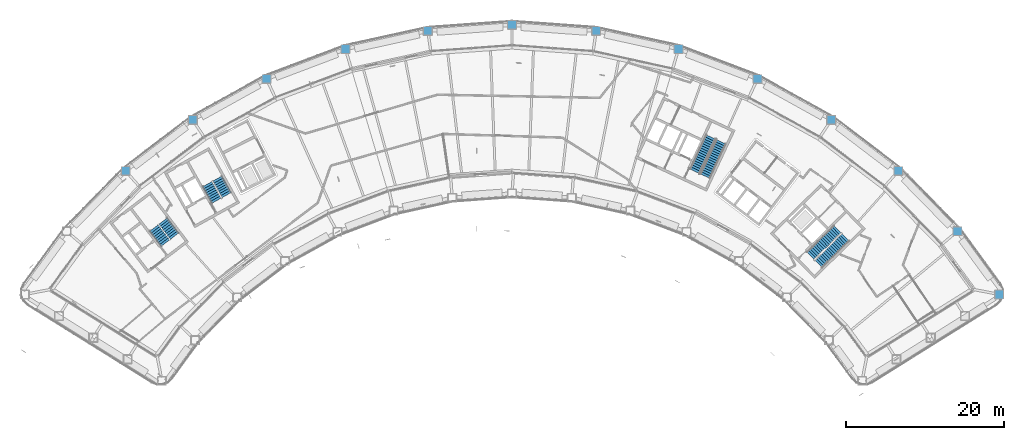
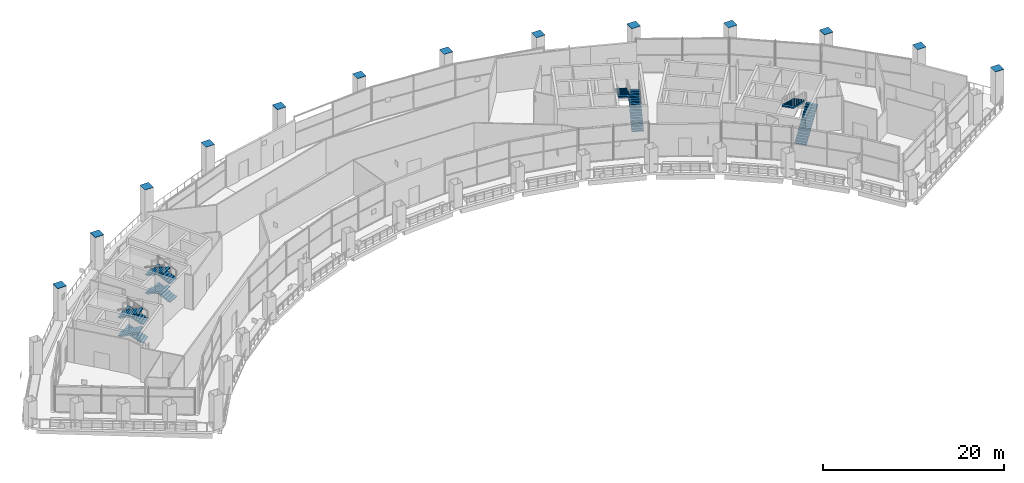
# One storey, part 20 of 28: 13 discrete accessories, 12 stair flights, 4 elements without a shape of their own.
"""IFC4 building model written with IfcOpenShell, lengths in metres."""

from ifc_helpers import new_model, si_unit, direction, frame, origin, origin_2d, place, context, subcontext, project, spatial, polyline, rectangle, outline, extrude, material, type_object, element, aggregate, save


model = new_model("IFC4")

# Units and contexts
model_context = context("Model", 3, precision=1e-05, world=origin(), true_north=direction((0.0, 1.0)))
body_context = subcontext(model_context, "Body", "Model", "MODEL_VIEW")
ifc_project = project(units=[si_unit("LENGTHUNIT", "METRE"), si_unit("AREAUNIT", "SQUARE_METRE"), si_unit("VOLUMEUNIT", "CUBIC_METRE"), si_unit("PLANEANGLEUNIT", "RADIAN"), si_unit("MASSUNIT", "GRAM", prefix="KILO")], contexts=[model_context])

# Site, building, storey
site_placement = place(None, origin())
site = spatial("IfcSite", under=ifc_project, at=site_placement, CompositionType="ELEMENT")
building_placement = place(site_placement, origin())
building = spatial("IfcBuilding", under=site, at=building_placement, Name="Tuul Gate Civic Tower", CompositionType="ELEMENT")
storey_placement = place(building_placement, frame((0.0, 0.0, 128.699951171875)))
storey = spatial("IfcBuildingStorey", under=building, at=storey_placement, Name="Sky garden level 1", CompositionType="ELEMENT", Elevation=128.699951171875)

# Stair, stair flights
ifc_material_1 = material(Name="Concrete C40/50", Category="concrete")
stair_type = type_object("IfcStairType", Name="Exit stair", PredefinedType="HALF_TURN_STAIR", material=ifc_material_1)
stair_1_placement = place(storey_placement, origin())
stair_1 = element("IfcStair", 1, at=stair_1_placement, inside=storey, type_object=stair_type, Name="Sky garden level 1 ST-1", PredefinedType="HALF_TURN_STAIR")
ifc_material_2 = material(Name="Concrete C40/50", Category="concrete")
stair_flight_type = type_object("IfcStairFlightType", Name="Exit stair flight", PredefinedType="STRAIGHT", material=ifc_material_2)
stair_flight_1_placement = place(storey_placement, frame((-32.875244140625, -13.066650390625, 0.0), z_axis=(0.0, 0.0, 1.0), x_axis=(-0.605764474941, 0.795644016442, 0.0)))
stair_flight_1 = element("IfcStairFlight", 2, at=stair_flight_1_placement, type_object=stair_flight_type, Name="ST-1 flight 1", NumberOfRisers=9, NumberOfTreads=8, PredefinedType="STRAIGHT", RiserHeight=0.138888889, TreadLength=0.3, context=body_context, shape_type="SweptSolid", body=[
    extrude(outline(polyline([(0.0, 0.0), (0.0, 0.138916015625), (0.300048828125, 0.138916015625), (0.300048828125, 0.27783203125), (0.60009765625, 0.27783203125), (0.60009765625, 0.416748046875), (0.89990234375, 0.416748046875), (0.89990234375, 0.5556640625), (1.199951171875, 0.5556640625), (1.199951171875, 0.6943359375), (1.5, 0.6943359375), (1.5, 0.833251953125), (1.800048828125, 0.833251953125), (1.800048828125, 0.97216796875), (2.10009765625, 0.97216796875), (2.10009765625, 1.111083984375), (2.39990234375, 1.111083984375), (2.39990234375, 1.25), (2.39990234375, 0.946044921875), (0.356689453125, 0.0), (0.0, 0.0)])), frame((0.0, 0.675048828125, 0.0), z_axis=(0.0, -1.0, 0.0), x_axis=(1.0, 0.0, 0.0)), (0.0, 0.0, 1.0), 1.35009765625),
])
stair_flight_2_placement = place(storey_placement, frame((-35.482666015625, -12.03564453125, 1.25), z_axis=(0.0, 0.0, 1.0), x_axis=(0.605764474941, -0.795644016442, 0.0)))
stair_flight_2 = element("IfcStairFlight", 3, at=stair_flight_2_placement, type_object=stair_flight_type, Name="ST-1 flight 2", NumberOfRisers=9, NumberOfTreads=8, PredefinedType="STRAIGHT", RiserHeight=0.138888889, TreadLength=0.3, context=body_context, shape_type="SweptSolid", body=[
    extrude(outline(polyline([(0.0, 0.0), (0.0, 0.138916015625), (0.300048828125, 0.138916015625), (0.300048828125, 0.27783203125), (0.60009765625, 0.27783203125), (0.60009765625, 0.416748046875), (0.89990234375, 0.416748046875), (0.89990234375, 0.5556640625), (1.199951171875, 0.5556640625), (1.199951171875, 0.6943359375), (1.5, 0.6943359375), (1.5, 0.833251953125), (1.800048828125, 0.833251953125), (1.800048828125, 0.97216796875), (2.10009765625, 0.97216796875), (2.10009765625, 1.111083984375), (2.39990234375, 1.111083984375), (2.39990234375, 1.25), (2.39990234375, 0.946044921875), (0.356689453125, 0.0), (0.0, 0.0)])), frame((0.0, 0.675048828125, 0.0), z_axis=(0.0, -1.0, 0.0), x_axis=(1.0, 0.0, 0.0)), (0.0, 0.0, 1.0), 1.35009765625),
])
stair_flight_3_placement = place(storey_placement, frame((-32.875244140625, -13.066650390625, 2.5), z_axis=(0.0, 0.0, 1.0), x_axis=(-0.605764474941, 0.795644016442, 0.0)))
stair_flight_3 = element("IfcStairFlight", 4, at=stair_flight_3_placement, type_object=stair_flight_type, Name="ST-1 flight 3", NumberOfRisers=9, NumberOfTreads=8, PredefinedType="STRAIGHT", RiserHeight=0.138888889, TreadLength=0.3, context=body_context, shape_type="SweptSolid", body=[
    extrude(outline(polyline([(0.0, 0.0), (0.0, 0.138916015625), (0.300048828125, 0.138916015625), (0.300048828125, 0.27783203125), (0.60009765625, 0.27783203125), (0.60009765625, 0.416748046875), (0.89990234375, 0.416748046875), (0.89990234375, 0.5556640625), (1.199951171875, 0.5556640625), (1.199951171875, 0.6943359375), (1.5, 0.6943359375), (1.5, 0.833251953125), (1.800048828125, 0.833251953125), (1.800048828125, 0.97216796875), (2.10009765625, 0.97216796875), (2.10009765625, 1.111083984375), (2.39990234375, 1.111083984375), (2.39990234375, 1.25), (2.39990234375, 0.946044921875), (0.356689453125, 0.0), (0.0, 0.0)])), frame((0.0, 0.675048828125, 0.0), z_axis=(0.0, -1.0, 0.0), x_axis=(1.0, 0.0, 0.0)), (0.0, 0.0, 1.0), 1.35009765625),
])
stair_flight_4_placement = place(storey_placement, frame((-35.482666015625, -12.03564453125, 3.75), z_axis=(0.0, 0.0, 1.0), x_axis=(0.605764474941, -0.795644016442, 0.0)))
stair_flight_4 = element("IfcStairFlight", 5, at=stair_flight_4_placement, type_object=stair_flight_type, Name="ST-1 flight 4", NumberOfRisers=9, NumberOfTreads=8, PredefinedType="STRAIGHT", RiserHeight=0.138888889, TreadLength=0.3, context=body_context, shape_type="SweptSolid", body=[
    extrude(outline(polyline([(0.0, 0.0), (0.0, 0.138916015625), (0.300048828125, 0.138916015625), (0.300048828125, 0.27783203125), (0.60009765625, 0.27783203125), (0.60009765625, 0.416748046875), (0.89990234375, 0.416748046875), (0.89990234375, 0.5556640625), (1.199951171875, 0.5556640625), (1.199951171875, 0.6943359375), (1.5, 0.6943359375), (1.5, 0.833251953125), (1.800048828125, 0.833251953125), (1.800048828125, 0.97216796875), (2.10009765625, 0.97216796875), (2.10009765625, 1.111083984375), (2.39990234375, 1.111083984375), (2.39990234375, 1.25), (2.39990234375, 0.946044921875), (0.356689453125, 0.0), (0.0, 0.0)])), frame((0.0, 0.675048828125, 0.0), z_axis=(0.0, -1.0, 0.0), x_axis=(1.0, 0.0, 0.0)), (0.0, 0.0, 1.0), 1.35009765625),
])
aggregate(stair_1, [stair_flight_1, stair_flight_2, stair_flight_3, stair_flight_4])

stair_2_placement = place(storey_placement, origin())
stair_2 = element("IfcStair", 6, at=stair_2_placement, inside=storey, type_object=stair_type, Name="Sky garden level 1 ST-2", PredefinedType="HALF_TURN_STAIR")
stair_flight_5_placement = place(storey_placement, frame((-26.29150390625, -7.87646484375, 0.0), z_axis=(0.0, 0.0, 1.0), x_axis=(-0.484761763766, 0.874646232708, 0.0)))
stair_flight_5 = element("IfcStairFlight", 7, at=stair_flight_5_placement, type_object=stair_flight_type, Name="ST-2 flight 1", NumberOfRisers=9, NumberOfTreads=8, PredefinedType="STRAIGHT", RiserHeight=0.138888889, TreadLength=0.3, context=body_context, shape_type="SweptSolid", body=[
    extrude(outline(polyline([(0.0, 0.0), (0.0, 0.138916015625), (0.300048828125, 0.138916015625), (0.300048828125, 0.27783203125), (0.60009765625, 0.27783203125), (0.60009765625, 0.416748046875), (0.89990234375, 0.416748046875), (0.89990234375, 0.5556640625), (1.199951171875, 0.5556640625), (1.199951171875, 0.6943359375), (1.5, 0.6943359375), (1.5, 0.833251953125), (1.800048828125, 0.833251953125), (1.800048828125, 0.97216796875), (2.10009765625, 0.97216796875), (2.10009765625, 1.111083984375), (2.39990234375, 1.111083984375), (2.39990234375, 1.25), (2.39990234375, 0.946044921875), (0.356689453125, 0.0), (0.0, 0.0)])), frame((0.0, 0.675048828125, 0.0), z_axis=(0.0, -1.0, 0.0), x_axis=(1.0, 0.0, 0.0)), (0.0, 0.0, 1.0), 1.35009765625),
])
stair_flight_6_placement = place(storey_placement, frame((-28.723388671875, -6.480224609375, 1.25), z_axis=(0.0, 0.0, 1.0), x_axis=(0.484761763766, -0.874646232708, 0.0)))
stair_flight_6 = element("IfcStairFlight", 8, at=stair_flight_6_placement, type_object=stair_flight_type, Name="ST-2 flight 2", NumberOfRisers=9, NumberOfTreads=8, PredefinedType="STRAIGHT", RiserHeight=0.138888889, TreadLength=0.3, context=body_context, shape_type="SweptSolid", body=[
    extrude(outline(polyline([(0.0, 0.0), (0.0, 0.138916015625), (0.300048828125, 0.138916015625), (0.300048828125, 0.27783203125), (0.60009765625, 0.27783203125), (0.60009765625, 0.416748046875), (0.89990234375, 0.416748046875), (0.89990234375, 0.5556640625), (1.199951171875, 0.5556640625), (1.199951171875, 0.6943359375), (1.5, 0.6943359375), (1.5, 0.833251953125), (1.800048828125, 0.833251953125), (1.800048828125, 0.97216796875), (2.10009765625, 0.97216796875), (2.10009765625, 1.111083984375), (2.39990234375, 1.111083984375), (2.39990234375, 1.25), (2.39990234375, 0.946044921875), (0.356689453125, 0.0), (0.0, 0.0)])), frame((0.0, 0.675048828125, 0.0), z_axis=(0.0, -1.0, 0.0), x_axis=(1.0, 0.0, 0.0)), (0.0, 0.0, 1.0), 1.35009765625),
])
stair_flight_7_placement = place(storey_placement, frame((-26.29150390625, -7.87646484375, 2.5), z_axis=(0.0, 0.0, 1.0), x_axis=(-0.484761763766, 0.874646232708, 0.0)))
stair_flight_7 = element("IfcStairFlight", 9, at=stair_flight_7_placement, type_object=stair_flight_type, Name="ST-2 flight 3", NumberOfRisers=9, NumberOfTreads=8, PredefinedType="STRAIGHT", RiserHeight=0.138888889, TreadLength=0.3, context=body_context, shape_type="SweptSolid", body=[
    extrude(outline(polyline([(0.0, 0.0), (0.0, 0.138916015625), (0.300048828125, 0.138916015625), (0.300048828125, 0.27783203125), (0.60009765625, 0.27783203125), (0.60009765625, 0.416748046875), (0.89990234375, 0.416748046875), (0.89990234375, 0.5556640625), (1.199951171875, 0.5556640625), (1.199951171875, 0.6943359375), (1.5, 0.6943359375), (1.5, 0.833251953125), (1.800048828125, 0.833251953125), (1.800048828125, 0.97216796875), (2.10009765625, 0.97216796875), (2.10009765625, 1.111083984375), (2.39990234375, 1.111083984375), (2.39990234375, 1.25), (2.39990234375, 0.946044921875), (0.356689453125, 0.0), (0.0, 0.0)])), frame((0.0, 0.675048828125, 0.0), z_axis=(0.0, -1.0, 0.0), x_axis=(1.0, 0.0, 0.0)), (0.0, 0.0, 1.0), 1.35009765625),
])
stair_flight_8_placement = place(storey_placement, frame((-28.723388671875, -6.480224609375, 3.75), z_axis=(0.0, 0.0, 1.0), x_axis=(0.484761763766, -0.874646232708, 0.0)))
stair_flight_8 = element("IfcStairFlight", 10, at=stair_flight_8_placement, type_object=stair_flight_type, Name="ST-2 flight 4", NumberOfRisers=9, NumberOfTreads=8, PredefinedType="STRAIGHT", RiserHeight=0.138888889, TreadLength=0.3, context=body_context, shape_type="SweptSolid", body=[
    extrude(outline(polyline([(0.0, 0.0), (0.0, 0.138916015625), (0.300048828125, 0.138916015625), (0.300048828125, 0.27783203125), (0.60009765625, 0.27783203125), (0.60009765625, 0.416748046875), (0.89990234375, 0.416748046875), (0.89990234375, 0.5556640625), (1.199951171875, 0.5556640625), (1.199951171875, 0.6943359375), (1.5, 0.6943359375), (1.5, 0.833251953125), (1.800048828125, 0.833251953125), (1.800048828125, 0.97216796875), (2.10009765625, 0.97216796875), (2.10009765625, 1.111083984375), (2.39990234375, 1.111083984375), (2.39990234375, 1.25), (2.39990234375, 0.946044921875), (0.356689453125, 0.0), (0.0, 0.0)])), frame((0.0, 0.675048828125, 0.0), z_axis=(0.0, -1.0, 0.0), x_axis=(1.0, 0.0, 0.0)), (0.0, 0.0, 1.0), 1.35009765625),
])
aggregate(stair_2, [stair_flight_5, stair_flight_6, stair_flight_7, stair_flight_8])

stair_3_placement = place(storey_placement, origin())
stair_3 = element("IfcStair", 11, at=stair_3_placement, inside=storey, type_object=stair_type, Name="Sky garden level 1 ST-3", PredefinedType="HALF_TURN_STAIR")
stair_flight_9_placement = place(storey_placement, frame((48.61376953125, -16.581787109375, 0.0), z_axis=(0.0, 0.0, 1.0), x_axis=(0.714127290059, 0.700015866672, 0.0)))
stair_flight_9 = element("IfcStairFlight", 12, at=stair_flight_9_placement, type_object=stair_flight_type, Name="ST-3 flight 1", NumberOfRisers=17, NumberOfTreads=16, PredefinedType="STRAIGHT", RiserHeight=0.147058824, TreadLength=0.3, context=body_context, shape_type="SweptSolid", body=[
    extrude(outline(polyline([(0.0, 0.0), (0.0, 0.14697265625), (0.300048828125, 0.14697265625), (0.300048828125, 0.294189453125), (0.60009765625, 0.294189453125), (0.60009765625, 0.441162109375), (0.89990234375, 0.441162109375), (0.89990234375, 0.588134765625), (1.199951171875, 0.588134765625), (1.199951171875, 0.7353515625), (1.5, 0.7353515625), (1.5, 0.88232421875), (1.800048828125, 0.88232421875), (1.800048828125, 1.029296875), (2.10009765625, 1.029296875), (2.10009765625, 1.176513671875), (2.39990234375, 1.176513671875), (2.39990234375, 1.323486328125), (2.699951171875, 1.323486328125), (2.699951171875, 1.470703125), (3.0, 1.470703125), (3.0, 1.61767578125), (3.300048828125, 1.61767578125), (3.300048828125, 1.7646484375), (3.60009765625, 1.7646484375), (3.60009765625, 1.911865234375), (3.89990234375, 1.911865234375), (3.89990234375, 2.058837890625), (4.199951171875, 2.058837890625), (4.199951171875, 2.205810546875), (4.5, 2.205810546875), (4.5, 2.35302734375), (4.800048828125, 2.35302734375), (4.800048828125, 2.5), (4.800048828125, 2.18603515625), (0.340576171875, 0.0), (0.0, 0.0)])), frame((0.0, 0.675048828125, 0.0), z_axis=(0.0, -1.0, 0.0), x_axis=(1.0, 0.0, 0.0)), (0.0, 0.0, 1.0), 1.35009765625),
])
stair_flight_10_placement = place(storey_placement, frame((51.026611328125, -12.186279296875, 2.5), z_axis=(0.0, 0.0, 1.0), x_axis=(-0.714127290059, -0.700015866672, 0.0)))
stair_flight_10 = element("IfcStairFlight", 13, at=stair_flight_10_placement, type_object=stair_flight_type, Name="ST-3 flight 2", NumberOfRisers=17, NumberOfTreads=16, PredefinedType="STRAIGHT", RiserHeight=0.147058824, TreadLength=0.3, context=body_context, shape_type="SweptSolid", body=[
    extrude(outline(polyline([(0.0, 0.0), (0.0, 0.14697265625), (0.300048828125, 0.14697265625), (0.300048828125, 0.294189453125), (0.60009765625, 0.294189453125), (0.60009765625, 0.441162109375), (0.89990234375, 0.441162109375), (0.89990234375, 0.588134765625), (1.199951171875, 0.588134765625), (1.199951171875, 0.7353515625), (1.5, 0.7353515625), (1.5, 0.88232421875), (1.800048828125, 0.88232421875), (1.800048828125, 1.029296875), (2.10009765625, 1.029296875), (2.10009765625, 1.176513671875), (2.39990234375, 1.176513671875), (2.39990234375, 1.323486328125), (2.699951171875, 1.323486328125), (2.699951171875, 1.470703125), (3.0, 1.470703125), (3.0, 1.61767578125), (3.300048828125, 1.61767578125), (3.300048828125, 1.7646484375), (3.60009765625, 1.7646484375), (3.60009765625, 1.911865234375), (3.89990234375, 1.911865234375), (3.89990234375, 2.058837890625), (4.199951171875, 2.058837890625), (4.199951171875, 2.205810546875), (4.5, 2.205810546875), (4.5, 2.35302734375), (4.800048828125, 2.35302734375), (4.800048828125, 2.5), (4.800048828125, 2.18603515625), (0.340576171875, 0.0), (0.0, 0.0)])), frame((0.0, 0.675048828125, 0.0), z_axis=(0.0, -1.0, 0.0), x_axis=(1.0, 0.0, 0.0)), (0.0, 0.0, 1.0), 1.35009765625),
])
aggregate(stair_3, [stair_flight_9, stair_flight_10])

stair_4_placement = place(storey_placement, origin())
stair_4 = element("IfcStair", 14, at=stair_4_placement, inside=storey, type_object=stair_type, Name="Sky garden level 1 ST-4", PredefinedType="HALF_TURN_STAIR")
stair_flight_11_placement = place(storey_placement, frame((34.278564453125, -5.478515625, 0.0), z_axis=(0.0, 0.0, 1.0), x_axis=(0.422576295988, 0.906327354806, 0.0)))
stair_flight_11 = element("IfcStairFlight", 15, at=stair_flight_11_placement, type_object=stair_flight_type, Name="ST-4 flight 1", NumberOfRisers=17, NumberOfTreads=16, PredefinedType="STRAIGHT", RiserHeight=0.147058824, TreadLength=0.3, context=body_context, shape_type="SweptSolid", body=[
    extrude(outline(polyline([(0.0, 0.0), (0.0, 0.14697265625), (0.300048828125, 0.14697265625), (0.300048828125, 0.294189453125), (0.60009765625, 0.294189453125), (0.60009765625, 0.441162109375), (0.89990234375, 0.441162109375), (0.89990234375, 0.588134765625), (1.199951171875, 0.588134765625), (1.199951171875, 0.7353515625), (1.5, 0.7353515625), (1.5, 0.88232421875), (1.800048828125, 0.88232421875), (1.800048828125, 1.029296875), (2.10009765625, 1.029296875), (2.10009765625, 1.176513671875), (2.39990234375, 1.176513671875), (2.39990234375, 1.323486328125), (2.699951171875, 1.323486328125), (2.699951171875, 1.470703125), (3.0, 1.470703125), (3.0, 1.61767578125), (3.300048828125, 1.61767578125), (3.300048828125, 1.7646484375), (3.60009765625, 1.7646484375), (3.60009765625, 1.911865234375), (3.89990234375, 1.911865234375), (3.89990234375, 2.058837890625), (4.199951171875, 2.058837890625), (4.199951171875, 2.205810546875), (4.5, 2.205810546875), (4.5, 2.35302734375), (4.800048828125, 2.35302734375), (4.800048828125, 2.5), (4.800048828125, 2.18603515625), (0.340576171875, 0.0), (0.0, 0.0)])), frame((0.0, 0.675048828125, 0.0), z_axis=(0.0, -1.0, 0.0), x_axis=(1.0, 0.0, 0.0)), (0.0, 0.0, 1.0), 1.35009765625),
])
stair_flight_12_placement = place(storey_placement, frame((34.992919921875, -0.515380859375, 2.5), z_axis=(0.0, 0.0, 1.0), x_axis=(-0.422576295988, -0.906327354806, 0.0)))
stair_flight_12 = element("IfcStairFlight", 16, at=stair_flight_12_placement, type_object=stair_flight_type, Name="ST-4 flight 2", NumberOfRisers=17, NumberOfTreads=16, PredefinedType="STRAIGHT", RiserHeight=0.147058824, TreadLength=0.3, context=body_context, shape_type="SweptSolid", body=[
    extrude(outline(polyline([(0.0, 0.0), (0.0, 0.14697265625), (0.300048828125, 0.14697265625), (0.300048828125, 0.294189453125), (0.60009765625, 0.294189453125), (0.60009765625, 0.441162109375), (0.89990234375, 0.441162109375), (0.89990234375, 0.588134765625), (1.199951171875, 0.588134765625), (1.199951171875, 0.7353515625), (1.5, 0.7353515625), (1.5, 0.88232421875), (1.800048828125, 0.88232421875), (1.800048828125, 1.029296875), (2.10009765625, 1.029296875), (2.10009765625, 1.176513671875), (2.39990234375, 1.176513671875), (2.39990234375, 1.323486328125), (2.699951171875, 1.323486328125), (2.699951171875, 1.470703125), (3.0, 1.470703125), (3.0, 1.61767578125), (3.300048828125, 1.61767578125), (3.300048828125, 1.7646484375), (3.60009765625, 1.7646484375), (3.60009765625, 1.911865234375), (3.89990234375, 1.911865234375), (3.89990234375, 2.058837890625), (4.199951171875, 2.058837890625), (4.199951171875, 2.205810546875), (4.5, 2.205810546875), (4.5, 2.35302734375), (4.800048828125, 2.35302734375), (4.800048828125, 2.5), (4.800048828125, 2.18603515625), (0.340576171875, 0.0), (0.0, 0.0)])), frame((0.0, 0.675048828125, 0.0), z_axis=(0.0, -1.0, 0.0), x_axis=(1.0, 0.0, 0.0)), (0.0, 0.0, 1.0), 1.35009765625),
])
aggregate(stair_4, [stair_flight_11, stair_flight_12])

# Discrete accessories
ifc_material_3 = material(Name="Steel S355", Category="steel")
discrete_accessory_type = type_object("IfcDiscreteAccessoryType", Name="End cap plate", PredefinedType="BRACKET", material=ifc_material_3)
for number, where, z_axis, x_axis, name in (
    (17, (71.5, -20.44189453125, 4.60009765625), (0.0, 0.0, 1.0), (1.0, 0.0, 0.0), "End cap plate"),
    (18, (66.200927734375, -12.428955078125, 4.60009765625), (0.0, 0.0, 1.0), (1.0, 0.0, 0.0), "End cap plate"),
    (19, (58.72607421875, -4.803955078125, 4.60009765625), (0.0, 0.0, 1.0), (1.0, 0.0, 0.0), "End cap plate"),
    (20, (50.23095703125, 1.6640625, 4.60009765625), (0.0, 0.0, 1.0), (1.0, 0.0, 0.0), "End cap plate"),
    (21, (40.89306640625, 6.840087890625, 4.60009765625), (0.0, 0.0, 1.0), (1.0, 0.0, 0.0), "End cap plate"),
    (22, (30.905029296875, 10.616943359375, 4.60009765625), (0.0, 0.0, 1.0), (1.0, 0.0, 0.0), "End cap plate"),
    (23, (20.47802734375, 12.9150390625, 4.60009765625), (0.0, 0.0, 1.0), (1.0, 0.0, 0.0), "End cap plate"),
    (24, (9.8291015625, 13.68603515625, 4.60009765625), (0.0, 0.0, 1.0), (1.0, 0.0, 0.0), "End cap plate"),
    (25, (-0.821044921875, 12.9150390625, 4.60009765625), (0.0, 0.0, 1.0), (1.0, 0.0, 0.0), "End cap plate"),
    (26, (-11.248046875, 10.616943359375, 4.60009765625), (0.0, 0.0, 1.0), (1.0, 0.0, 0.0), "End cap plate"),
    (27, (-21.235107421875, 6.840087890625, 4.60009765625), (0.0, 0.0, 1.0), (1.0, 0.0, 0.0), "End cap plate"),
    (28, (-30.573974609375, 1.6640625, 4.60009765625), (0.0, 0.0, 1.0), (1.0, 0.0, 0.0), "End cap plate"),
    (29, (-39.069091796875, -4.803955078125, 4.60009765625), (0.0, 0.0, 1.0), (1.0, 0.0, 0.0), "End cap plate"),
):
    element("IfcDiscreteAccessory", number, at=place(storey_placement, frame(where, z_axis=z_axis, x_axis=x_axis)), inside=storey, type_object=discrete_accessory_type, Name=name, PredefinedType="BRACKET", context=body_context, shape_type="SweptSolid", body=[
        extrude(rectangle(XDim=1.10009765625, YDim=1.10009765625, at=origin_2d()), origin(), (0.0, 0.0, 1.0), 0.030029296875),
    ])

save(model, "model.ifc")
